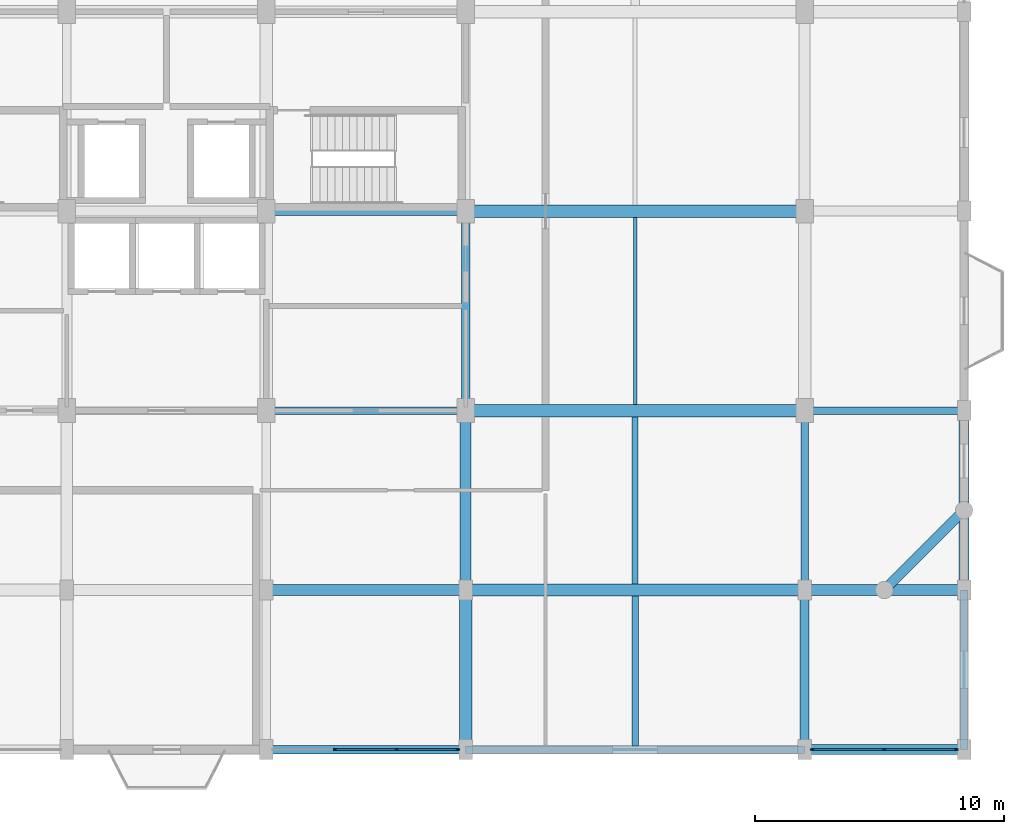
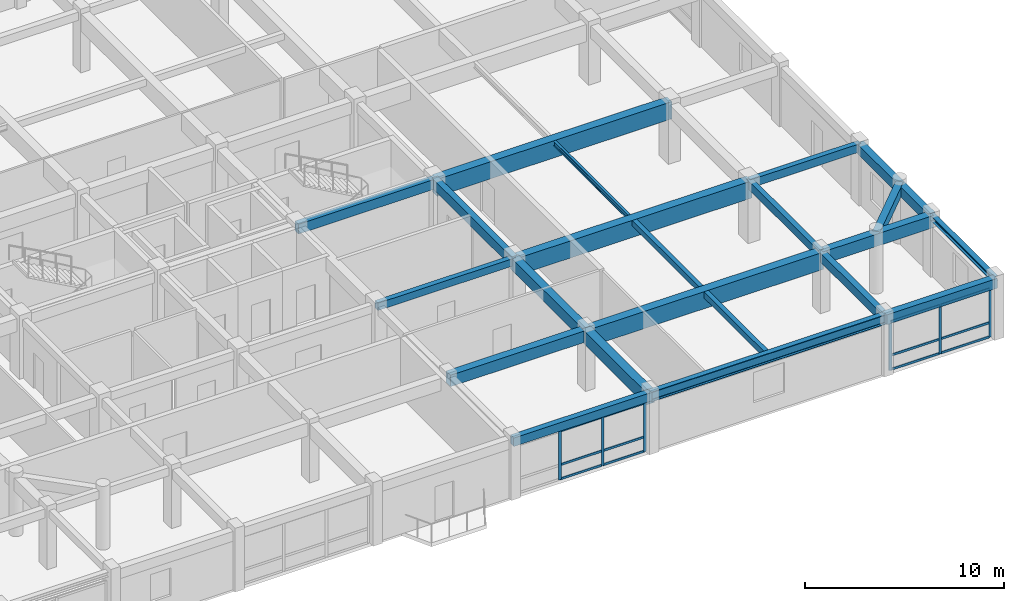
# One storey, part 4 of 15: 22 beams, 18 members, 2 elements without a shape of their own.
"""IFC4 building model written with IfcOpenShell, lengths in metres."""

from ifc_helpers import new_model, si_unit, direction, frame, origin, origin_2d, place, context, subcontext, project, spatial, rectangle, i_section, extrude, material, material_profile, profile_set, type_object, element, aggregate, save


model = new_model("IFC4")

# Units and contexts
model_context = context("Model", 3, precision=1e-05, world=origin(), true_north=direction((0.0, 1.0)))
body_context = subcontext(model_context, "Body", "Model", "MODEL_VIEW")
ifc_project = project(units=[si_unit("LENGTHUNIT", "METRE"), si_unit("AREAUNIT", "SQUARE_METRE"), si_unit("VOLUMEUNIT", "CUBIC_METRE"), si_unit("PLANEANGLEUNIT", "RADIAN"), si_unit("MASSUNIT", "GRAM", prefix="KILO")], contexts=[model_context])

# Site, building, storey
site_placement = place(None, origin())
site = spatial("IfcSite", under=ifc_project, at=site_placement, CompositionType="ELEMENT")
building_placement = place(site_placement, origin())
building = spatial("IfcBuilding", under=site, at=building_placement, Name="Vellmiral Cinema and Media Centre", CompositionType="ELEMENT")
storey_placement = place(building_placement, frame((0.0, 0.0, 35.60009765625)))
storey = spatial("IfcBuildingStorey", under=building, at=storey_placement, Name="L08", CompositionType="ELEMENT", Elevation=35.60009765625)

# Beams
ifc_material_1 = material(Name="Concrete C40/50", Category="concrete")
ifc_material_profile_1 = material_profile(ifc_material_1, rectangle(XDim=0.300048828125, YDim=0.449951171875, at=origin_2d()), Name="RC 300x450")
ifc_profile_set_1 = profile_set([ifc_material_profile_1], Name="Concrete C40/50")
beam_type_1 = type_object("IfcBeamType", Name="BM-RC-300x450", PredefinedType="BEAM", material=ifc_profile_set_1)
beam_1_placement = place(storey_placement, frame((140.0, 79.199951171875, 3.369873046875), z_axis=(1.0, 0.0, 0.0), x_axis=(0.0, 1.0, 0.0)))
element("IfcBeam", 1, at=beam_1_placement, inside=storey, type_object=beam_type_1, Name="Grid Beam L08-X019", PredefinedType="BEAM", context=body_context, shape_type="SweptSolid", body=[
    extrude(rectangle(XDim=0.300048828125, YDim=0.449951171875, at=origin_2d()), origin(), (0.0, 0.0, 1.0), 8.0),
])
ifc_material_2 = material(Name="Concrete C40/50", Category="concrete")
ifc_material_profile_2 = material_profile(ifc_material_2, rectangle(XDim=0.300048828125, YDim=0.5, at=origin_2d()), Name="RC 300x500")
ifc_profile_set_2 = profile_set([ifc_material_profile_2], Name="Concrete C40/50")
beam_type_2 = type_object("IfcBeamType", Name="BM-RC-300x500", PredefinedType="BEAM", material=ifc_profile_set_2)
beam_2_placement = place(storey_placement, frame((161.60009765625, 79.199951171875, 3.344970703125), z_axis=(1.0, 0.0, 0.0), x_axis=(0.0, 1.0, 0.0)))
element("IfcBeam", 2, at=beam_2_placement, inside=storey, type_object=beam_type_2, Name="Grid Beam L08-X021", PredefinedType="BEAM", context=body_context, shape_type="SweptSolid", body=[
    extrude(rectangle(XDim=0.300048828125, YDim=0.5, at=origin_2d()), origin(), (0.0, 0.0, 1.0), 6.39990234375),
])
beam_3_placement = place(storey_placement, frame((161.60009765625, 72.0, 3.344970703125), z_axis=(0.0, 1.0, 0.0), x_axis=(-1.0, 0.0, 0.0)))
element("IfcBeam", 3, at=beam_3_placement, inside=storey, type_object=beam_type_2, Name="Grid Beam L08-Y086", PredefinedType="BEAM", context=body_context, shape_type="SweptSolid", body=[
    extrude(rectangle(XDim=0.300048828125, YDim=0.5, at=origin_2d()), origin(), (0.0, 0.0, 1.0), 7.199951171875),
])
ifc_material_3 = material(Name="Concrete C40/50", Category="concrete")
ifc_material_profile_3 = material_profile(ifc_material_3, rectangle(XDim=0.35009765625, YDim=0.550048828125, at=origin_2d()), Name="RC 350x550")
ifc_profile_set_3 = profile_set([ifc_material_profile_3], Name="Concrete C40/50")
beam_type_3 = type_object("IfcBeamType", Name="BM-RC-350x550", PredefinedType="BEAM", material=ifc_profile_set_3)
beam_4_placement = place(storey_placement, frame((161.60009765625, 65.60009765625, 3.31982421875), z_axis=(0.0, 1.0, 0.0), x_axis=(-1.0, 0.0, 0.0)))
element("IfcBeam", 4, at=beam_4_placement, inside=storey, type_object=beam_type_3, Name="Grid Beam L08-Y085", PredefinedType="BEAM", context=body_context, shape_type="SweptSolid", body=[
    extrude(rectangle(XDim=0.35009765625, YDim=0.550048828125, at=origin_2d()), origin(), (0.0, 0.0, 1.0), 6.39990234375),
])
ifc_material_4 = material(Name="Concrete C40/50", Category="concrete")
ifc_material_profile_4 = material_profile(ifc_material_4, rectangle(XDim=0.35009765625, YDim=0.60009765625, at=origin_2d()), Name="RC 350x600")
ifc_profile_set_4 = profile_set([ifc_material_profile_4], Name="Concrete C40/50")
beam_type_4 = type_object("IfcBeamType", Name="BM-RC-350x600", PredefinedType="BEAM", material=ifc_profile_set_4)
for number, where, z_axis, x_axis, name in (
    (5, (140.0, 87.199951171875, 3.294921875), (1.0, 0.0, 0.0), (0.0, 1.0, 0.0), "Grid Beam L08-X026"),
    (6, (148.0, 79.199951171875, 3.294921875), (0.0, 1.0, 0.0), (-1.0, 0.0, 0.0), "Grid Beam L08-Y081"),
):
    element("IfcBeam", number, at=place(storey_placement, frame(where, z_axis=z_axis, x_axis=x_axis)), inside=storey, type_object=beam_type_4, Name=name, PredefinedType="BEAM", context=body_context, shape_type="SweptSolid", body=[
        extrude(rectangle(XDim=0.35009765625, YDim=0.60009765625, at=origin_2d()), origin(), (0.0, 0.0, 1.0), 8.0),
    ])
ifc_material_5 = material(Name="Concrete C40/50", Category="concrete")
ifc_material_profile_5 = material_profile(ifc_material_5, rectangle(XDim=0.449951171875, YDim=0.699951171875, at=origin_2d()), Name="RC 450x700")
ifc_profile_set_5 = profile_set([ifc_material_profile_5], Name="Concrete C40/50")
beam_type_5 = type_object("IfcBeamType", Name="BM-RC-450x700", PredefinedType="BEAM", material=ifc_profile_set_5)
beam_5_placement = place(storey_placement, frame((140.0, 72.0, 3.244873046875), z_axis=(1.0, 0.0, 0.0), x_axis=(0.0, 1.0, 0.0)))
element("IfcBeam", 7, at=beam_5_placement, inside=storey, type_object=beam_type_5, Name="Grid Beam L08-X012", PredefinedType="BEAM", context=body_context, shape_type="SweptSolid", body=[
    extrude(rectangle(XDim=0.449951171875, YDim=0.699951171875, at=origin_2d()), origin(), (0.0, 0.0, 1.0), 8.0),
])
beam_6_placement = place(storey_placement, frame((148.0, 72.0, 3.244873046875), z_axis=(0.0, 1.0, 0.0), x_axis=(-1.0, 0.0, 0.0)))
element("IfcBeam", 8, at=beam_6_placement, inside=storey, type_object=beam_type_5, Name="Grid Beam L08-Y080", PredefinedType="BEAM", context=body_context, shape_type="SweptSolid", body=[
    extrude(rectangle(XDim=0.449951171875, YDim=0.699951171875, at=origin_2d()), origin(), (0.0, 0.0, 1.0), 7.199951171875),
])
ifc_material_6 = material(Name="Concrete C40/50", Category="concrete")
ifc_material_profile_6 = material_profile(ifc_material_6, rectangle(XDim=0.449951171875, YDim=0.75, at=origin_2d()), Name="RC 450x750")
ifc_profile_set_6 = profile_set([ifc_material_profile_6], Name="Concrete C40/50")
beam_type_6 = type_object("IfcBeamType", Name="BM-RC-450x750", PredefinedType="BEAM", material=ifc_profile_set_6)
beam_7_placement = place(storey_placement, frame((161.60009765625, 72.0, 3.219970703125), z_axis=(1.0, 0.0, 0.0), x_axis=(0.0, 1.0, 0.0)))
element("IfcBeam", 9, at=beam_7_placement, inside=storey, type_object=beam_type_6, Name="Grid Beam L08-X014", PredefinedType="BEAM", context=body_context, shape_type="SweptSolid", body=[
    extrude(rectangle(XDim=0.449951171875, YDim=0.75, at=origin_2d()), origin(), (0.0, 0.0, 1.0), 6.39990234375),
])
ifc_material_7 = material(Name="Concrete C40/50", Category="concrete")
ifc_material_profile_7 = material_profile(ifc_material_7, rectangle(XDim=0.5, YDim=0.800048828125, at=origin_2d()), Name="RC 500x800")
ifc_profile_set_7 = profile_set([ifc_material_profile_7], Name="Concrete C40/50")
beam_type_7 = type_object("IfcBeamType", Name="BM-RC-500x800", PredefinedType="BEAM", material=ifc_profile_set_7)
beam_8_placement = place(storey_placement, frame((148.0, 65.60009765625, 3.19482421875), z_axis=(0.0, 1.0, 0.0), x_axis=(-1.0, 0.0, 0.0)))
element("IfcBeam", 10, at=beam_8_placement, inside=storey, type_object=beam_type_7, Name="Grid Beam L08-Y079", PredefinedType="BEAM", context=body_context, shape_type="SweptSolid", body=[
    extrude(rectangle(XDim=0.5, YDim=0.800048828125, at=origin_2d()), origin(), (0.0, 0.0, 1.0), 6.39990234375),
])
ifc_material_8 = material(Name="Concrete C40/50", Category="concrete")
ifc_material_profile_8 = material_profile(ifc_material_8, rectangle(XDim=0.5, YDim=1.050048828125, at=origin_2d()), Name="RC 500x1050")
ifc_profile_set_8 = profile_set([ifc_material_profile_8], Name="Concrete C40/50")
beam_type_8 = type_object("IfcBeamType", Name="BM-RCG-500x1050", PredefinedType="BEAM", material=ifc_profile_set_8)
for number, where, z_axis, x_axis, name in (
    (11, (148.0, 72.0, 3.06982421875), (1.0, 0.0, 0.0), (0.0, 1.0, 0.0), "Grid Beam L08-X013"),
    (12, (148.0, 79.199951171875, 3.06982421875), (1.0, 0.0, 0.0), (0.0, 1.0, 0.0), "Grid Beam L08-X020"),
    (13, (148.0, 87.199951171875, 3.06982421875), (1.0, 0.0, 0.0), (0.0, 1.0, 0.0), "Grid Beam L08-X027"),
):
    element("IfcBeam", number, at=place(storey_placement, frame(where, z_axis=z_axis, x_axis=x_axis)), inside=storey, type_object=beam_type_8, Name=name, PredefinedType="BEAM", context=body_context, shape_type="SweptSolid", body=[
        extrude(rectangle(XDim=0.5, YDim=1.050048828125, at=origin_2d()), origin(), (0.0, 0.0, 1.0), 13.60009765625),
    ])

# Curtain wall, members
ifc_material_9 = material(Name="Thermally Broken Aluminium and Triple Glazing", Category="aluminium")
curtain_wall_type = type_object("IfcCurtainWallType", Name="CW-TOWER-LOW-S", PredefinedType="USERDEFINED", material=ifc_material_9)
curtain_wall_1_placement = place(storey_placement, origin())
curtain_wall_1 = element("IfcCurtainWall", 14, at=curtain_wall_1_placement, inside=storey, type_object=curtain_wall_type, Name="Curtain Wall L08-B005", ObjectType="UNITISED CURTAIN WALL", PredefinedType="USERDEFINED")
ifc_material_10 = material(Name="Thermally Broken Anodised Aluminium", Category="aluminium")
ifc_material_profile_9 = material_profile(ifc_material_10, rectangle(XDim=0.06494140625, YDim=0.159912109375, at=origin_2d()), Name="MULL 65x160")
ifc_profile_set_9 = profile_set([ifc_material_profile_9], Name="Thermally Broken Anodised Aluminium")
member_type_1 = type_object("IfcMemberType", Name="CWM-65x160", PredefinedType="MULLION", material=ifc_profile_set_9)
member_1_placement = place(storey_placement, frame((142.75830078125, 65.60009765625, 0.0), z_axis=(0.0, 0.0, 1.0), x_axis=(0.0, 1.0, 0.0)))
member_1 = element("IfcMember", 15, at=member_1_placement, type_object=member_type_1, Name="CW-06 mullion 2", PredefinedType="MULLION", context=body_context, shape_type="SweptSolid", body=[
    extrude(rectangle(XDim=0.06494140625, YDim=0.159912109375, at=origin_2d()), origin(), (0.0, 0.0, 1.0), 3.0),
])
member_2_placement = place(storey_placement, frame((145.24169921875, 65.60009765625, 0.0), z_axis=(0.0, 0.0, 1.0), x_axis=(0.0, 1.0, 0.0)))
member_2 = element("IfcMember", 16, at=member_2_placement, type_object=member_type_1, Name="CW-06 mullion 3", PredefinedType="MULLION", context=body_context, shape_type="SweptSolid", body=[
    extrude(rectangle(XDim=0.06494140625, YDim=0.159912109375, at=origin_2d()), origin(), (0.0, 0.0, 1.0), 3.0),
])
member_3_placement = place(storey_placement, frame((147.6923828125, 65.60009765625, 0.0), z_axis=(0.0, 0.0, 1.0), x_axis=(0.0, 1.0, 0.0)))
member_3 = element("IfcMember", 17, at=member_3_placement, type_object=member_type_1, Name="CW-06 mullion 4", PredefinedType="MULLION", context=body_context, shape_type="SweptSolid", body=[
    extrude(rectangle(XDim=0.06494140625, YDim=0.159912109375, at=origin_2d()), origin(), (0.0, 0.0, 1.0), 3.0),
])

curtain_wall_2_placement = place(storey_placement, origin())
curtain_wall_2 = element("IfcCurtainWall", 18, at=curtain_wall_2_placement, inside=storey, type_object=curtain_wall_type, Name="Curtain Wall L08-B007", ObjectType="UNITISED CURTAIN WALL", PredefinedType="USERDEFINED")
member_4_placement = place(storey_placement, frame((161.907470703125, 65.60009765625, 0.0), z_axis=(0.0, 0.0, 1.0), x_axis=(0.0, 1.0, 0.0)))
member_4 = element("IfcMember", 19, at=member_4_placement, type_object=member_type_1, Name="CW-06 mullion 1", PredefinedType="MULLION", context=body_context, shape_type="SweptSolid", body=[
    extrude(rectangle(XDim=0.06494140625, YDim=0.159912109375, at=origin_2d()), origin(), (0.0, 0.0, 1.0), 2.98486328125),
])
member_5_placement = place(storey_placement, frame((164.800048828125, 65.60009765625, 0.0), z_axis=(0.0, 0.0, 1.0), x_axis=(0.0, 1.0, 0.0)))
member_5 = element("IfcMember", 20, at=member_5_placement, type_object=member_type_1, Name="CW-06 mullion 2", PredefinedType="MULLION", context=body_context, shape_type="SweptSolid", body=[
    extrude(rectangle(XDim=0.06494140625, YDim=0.159912109375, at=origin_2d()), origin(), (0.0, 0.0, 1.0), 2.98486328125),
])
member_6_placement = place(storey_placement, frame((167.6923828125, 65.60009765625, 0.0), z_axis=(0.0, 0.0, 1.0), x_axis=(0.0, 1.0, 0.0)))
member_6 = element("IfcMember", 21, at=member_6_placement, type_object=member_type_1, Name="CW-06 mullion 3", PredefinedType="MULLION", context=body_context, shape_type="SweptSolid", body=[
    extrude(rectangle(XDim=0.06494140625, YDim=0.159912109375, at=origin_2d()), origin(), (0.0, 0.0, 1.0), 2.98486328125),
])

# Member
ifc_material_11 = material(Name="Thermally Broken Anodised Aluminium", Category="aluminium")
ifc_material_profile_10 = material_profile(ifc_material_11, rectangle(XDim=0.06494140625, YDim=0.135009765625, at=origin_2d()), Name="MULL 65x135")
ifc_profile_set_10 = profile_set([ifc_material_profile_10], Name="Thermally Broken Anodised Aluminium")
member_type_2 = type_object("IfcMemberType", Name="CWT-65x135", PredefinedType="USERDEFINED", material=ifc_profile_set_10)
member_7_placement = place(storey_placement, frame((142.790771484375, 65.60009765625, 0.032470703125), z_axis=(1.0, 0.0, 0.0), x_axis=(0.0, 1.0, 0.0)))
member_7 = element("IfcMember", 22, at=member_7_placement, type_object=member_type_2, Name="CW-06 transom 2.1", ObjectType="TRANSOM", PredefinedType="USERDEFINED", context=body_context, shape_type="SweptSolid", body=[
    extrude(rectangle(XDim=0.06494140625, YDim=0.135009765625, at=origin_2d()), origin(), (0.0, 0.0, 1.0), 2.41845703125),
])

member_8_placement = place(storey_placement, frame((142.790771484375, 65.60009765625, 0.89990234375), z_axis=(1.0, 0.0, 0.0), x_axis=(0.0, 1.0, 0.0)))
member_8 = element("IfcMember", 23, at=member_8_placement, type_object=member_type_2, Name="CW-06 transom 2.2", ObjectType="TRANSOM", PredefinedType="USERDEFINED", context=body_context, shape_type="SweptSolid", body=[
    extrude(rectangle(XDim=0.06494140625, YDim=0.135009765625, at=origin_2d()), origin(), (0.0, 0.0, 1.0), 2.41845703125),
])

member_9_placement = place(storey_placement, frame((142.790771484375, 65.60009765625, 2.96728515625), z_axis=(1.0, 0.0, 0.0), x_axis=(0.0, 1.0, 0.0)))
member_9 = element("IfcMember", 24, at=member_9_placement, type_object=member_type_2, Name="CW-06 transom 2.3", ObjectType="TRANSOM", PredefinedType="USERDEFINED", context=body_context, shape_type="SweptSolid", body=[
    extrude(rectangle(XDim=0.06494140625, YDim=0.135009765625, at=origin_2d()), origin(), (0.0, 0.0, 1.0), 2.41845703125),
])

member_10_placement = place(storey_placement, frame((145.274169921875, 65.60009765625, 0.032470703125), z_axis=(1.0, 0.0, 0.0), x_axis=(0.0, 1.0, 0.0)))
member_10 = element("IfcMember", 25, at=member_10_placement, type_object=member_type_2, Name="CW-06 transom 3.1", ObjectType="TRANSOM", PredefinedType="USERDEFINED", context=body_context, shape_type="SweptSolid", body=[
    extrude(rectangle(XDim=0.06494140625, YDim=0.135009765625, at=origin_2d()), origin(), (0.0, 0.0, 1.0), 2.3857421875),
])

member_11_placement = place(storey_placement, frame((145.274169921875, 65.60009765625, 0.89990234375), z_axis=(1.0, 0.0, 0.0), x_axis=(0.0, 1.0, 0.0)))
member_11 = element("IfcMember", 26, at=member_11_placement, type_object=member_type_2, Name="CW-06 transom 3.2", ObjectType="TRANSOM", PredefinedType="USERDEFINED", context=body_context, shape_type="SweptSolid", body=[
    extrude(rectangle(XDim=0.06494140625, YDim=0.135009765625, at=origin_2d()), origin(), (0.0, 0.0, 1.0), 2.3857421875),
])

member_12_placement = place(storey_placement, frame((145.274169921875, 65.60009765625, 2.96728515625), z_axis=(1.0, 0.0, 0.0), x_axis=(0.0, 1.0, 0.0)))
member_12 = element("IfcMember", 27, at=member_12_placement, type_object=member_type_2, Name="CW-06 transom 3.3", ObjectType="TRANSOM", PredefinedType="USERDEFINED", context=body_context, shape_type="SweptSolid", body=[
    extrude(rectangle(XDim=0.06494140625, YDim=0.135009765625, at=origin_2d()), origin(), (0.0, 0.0, 1.0), 2.3857421875),
])

aggregate(curtain_wall_1, [member_1, member_2, member_3, member_7, member_8, member_9, member_10, member_11, member_12])

member_13_placement = place(storey_placement, frame((161.93994140625, 65.60009765625, 0.032470703125), z_axis=(1.0, 0.0, 0.0), x_axis=(0.0, 1.0, 0.0)))
member_13 = element("IfcMember", 28, at=member_13_placement, type_object=member_type_2, Name="CW-06 transom 1.1", ObjectType="TRANSOM", PredefinedType="USERDEFINED", context=body_context, shape_type="SweptSolid", body=[
    extrude(rectangle(XDim=0.06494140625, YDim=0.135009765625, at=origin_2d()), origin(), (0.0, 0.0, 1.0), 2.82763671875),
])

member_14_placement = place(storey_placement, frame((161.93994140625, 65.60009765625, 0.89990234375), z_axis=(1.0, 0.0, 0.0), x_axis=(0.0, 1.0, 0.0)))
member_14 = element("IfcMember", 29, at=member_14_placement, type_object=member_type_2, Name="CW-06 transom 1.2", ObjectType="TRANSOM", PredefinedType="USERDEFINED", context=body_context, shape_type="SweptSolid", body=[
    extrude(rectangle(XDim=0.06494140625, YDim=0.135009765625, at=origin_2d()), origin(), (0.0, 0.0, 1.0), 2.82763671875),
])

member_15_placement = place(storey_placement, frame((161.93994140625, 65.60009765625, 2.952392578125), z_axis=(1.0, 0.0, 0.0), x_axis=(0.0, 1.0, 0.0)))
member_15 = element("IfcMember", 30, at=member_15_placement, type_object=member_type_2, Name="CW-06 transom 1.3", ObjectType="TRANSOM", PredefinedType="USERDEFINED", context=body_context, shape_type="SweptSolid", body=[
    extrude(rectangle(XDim=0.06494140625, YDim=0.135009765625, at=origin_2d()), origin(), (0.0, 0.0, 1.0), 2.82763671875),
])

member_16_placement = place(storey_placement, frame((164.83251953125, 65.60009765625, 0.032470703125), z_axis=(1.0, 0.0, 0.0), x_axis=(0.0, 1.0, 0.0)))
member_16 = element("IfcMember", 31, at=member_16_placement, type_object=member_type_2, Name="CW-06 transom 2.1", ObjectType="TRANSOM", PredefinedType="USERDEFINED", context=body_context, shape_type="SweptSolid", body=[
    extrude(rectangle(XDim=0.06494140625, YDim=0.135009765625, at=origin_2d()), origin(), (0.0, 0.0, 1.0), 2.827392578125),
])

member_17_placement = place(storey_placement, frame((164.83251953125, 65.60009765625, 0.89990234375), z_axis=(1.0, 0.0, 0.0), x_axis=(0.0, 1.0, 0.0)))
member_17 = element("IfcMember", 32, at=member_17_placement, type_object=member_type_2, Name="CW-06 transom 2.2", ObjectType="TRANSOM", PredefinedType="USERDEFINED", context=body_context, shape_type="SweptSolid", body=[
    extrude(rectangle(XDim=0.06494140625, YDim=0.135009765625, at=origin_2d()), origin(), (0.0, 0.0, 1.0), 2.827392578125),
])

member_18_placement = place(storey_placement, frame((164.83251953125, 65.60009765625, 2.952392578125), z_axis=(1.0, 0.0, 0.0), x_axis=(0.0, 1.0, 0.0)))
member_18 = element("IfcMember", 33, at=member_18_placement, type_object=member_type_2, Name="CW-06 transom 2.3", ObjectType="TRANSOM", PredefinedType="USERDEFINED", context=body_context, shape_type="SweptSolid", body=[
    extrude(rectangle(XDim=0.06494140625, YDim=0.135009765625, at=origin_2d()), origin(), (0.0, 0.0, 1.0), 2.827392578125),
])

aggregate(curtain_wall_2, [member_4, member_5, member_6, member_13, member_14, member_15, member_16, member_17, member_18])

# Beams
ifc_material_12 = material(Name="Concrete C40/50", Category="concrete")
ifc_material_profile_11 = material_profile(ifc_material_12, rectangle(XDim=0.25, YDim=0.35009765625, at=origin_2d()), Name="RC 250x350")
ifc_profile_set_11 = profile_set([ifc_material_profile_11], Name="Concrete C40/50")
beam_type_9 = type_object("IfcBeamType", Name="JST-RC-250x350", PredefinedType="JOIST", material=ifc_profile_set_11)
beam_9_placement = place(storey_placement, frame((154.800048828125, 72.25, 3.419921875), z_axis=(0.0, 1.0, 0.0), x_axis=(-1.0, 0.0, 0.0)))
element("IfcBeam", 34, at=beam_9_placement, inside=storey, type_object=beam_type_9, Name="Secondary Floor Joist L08-007", PredefinedType="JOIST", context=body_context, shape_type="SweptSolid", body=[
    extrude(rectangle(XDim=0.25, YDim=0.35009765625, at=origin_2d()), origin(), (0.0, 0.0, 1.0), 6.699951171875),
])
ifc_material_13 = material(Name="Concrete C40/50", Category="concrete")
ifc_material_profile_12 = material_profile(ifc_material_13, rectangle(XDim=0.260009765625, YDim=0.3798828125, at=origin_2d()), Name="RC 260x380")
ifc_profile_set_12 = profile_set([ifc_material_profile_12], Name="Concrete C40/50")
beam_type_10 = type_object("IfcBeamType", Name="JST-RC-260x380", PredefinedType="JOIST", material=ifc_profile_set_12)
beam_10_placement = place(storey_placement, frame((154.800048828125, 65.75, 3.40478515625), z_axis=(0.0, 1.0, 0.0), x_axis=(-1.0, 0.0, 0.0)))
element("IfcBeam", 35, at=beam_10_placement, inside=storey, type_object=beam_type_10, Name="Secondary Floor Joist L08-006", PredefinedType="JOIST", context=body_context, shape_type="SweptSolid", body=[
    extrude(rectangle(XDim=0.260009765625, YDim=0.3798828125, at=origin_2d()), origin(), (0.0, 0.0, 1.0), 6.0),
])
ifc_material_14 = material(Name="Steel S355", Category="steel")
ifc_material_profile_13 = material_profile(ifc_material_14, i_section(OverallWidth=0.300048828125, OverallDepth=0.300048828125, WebThickness=0.010986328125, FlangeThickness=0.01904296875, FilletRadius=0.027099609375, at=origin_2d()), Name="HEB 300")
ifc_profile_set_13 = profile_set([ifc_material_profile_13], Name="Steel S355")
beam_type_11 = type_object("IfcBeamType", Name="SBM-HEB300", PredefinedType="SPANDREL", material=ifc_profile_set_13)
beam_11_placement = place(storey_placement, frame((168.0, 65.60009765625, 3.44482421875), z_axis=(0.0, 1.0, 0.0), x_axis=(-1.0, 0.0, 0.0)))
element("IfcBeam", 36, at=beam_11_placement, inside=storey, type_object=beam_type_11, Name="Grid Beam L08-Y091", PredefinedType="SPANDREL", context=body_context, shape_type="SweptSolid", body=[
    extrude(i_section(OverallWidth=0.300048828125, OverallDepth=0.300048828125, WebThickness=0.010986328125, FlangeThickness=0.01904296875, FilletRadius=0.027099609375, at=origin_2d()), origin(), (0.0, 0.0, 1.0), 6.39990234375),
])
ifc_material_15 = material(Name="Steel S355", Category="steel")
ifc_material_profile_14 = material_profile(ifc_material_15, i_section(OverallWidth=0.300048828125, OverallDepth=0.60009765625, WebThickness=0.015380859375, FlangeThickness=0.030029296875, FilletRadius=0.027099609375, at=origin_2d()), Name="HEB 600")
ifc_profile_set_14 = profile_set([ifc_material_profile_14], Name="Steel S355")
beam_type_12 = type_object("IfcBeamType", Name="SBM-HEB600-SPD", PredefinedType="SPANDREL", material=ifc_profile_set_14)
beam_12_placement = place(storey_placement, frame((148.0, 65.60009765625, 3.294921875), z_axis=(1.0, 0.0, 0.0), x_axis=(0.0, 1.0, 0.0)))
element("IfcBeam", 37, at=beam_12_placement, inside=storey, type_object=beam_type_12, Name="Grid Beam L08-X006", PredefinedType="SPANDREL", context=body_context, shape_type="SweptSolid", body=[
    extrude(i_section(OverallWidth=0.300048828125, OverallDepth=0.60009765625, WebThickness=0.015380859375, FlangeThickness=0.030029296875, FilletRadius=0.027099609375, at=origin_2d()), origin(), (0.0, 0.0, 1.0), 13.60009765625),
])
ifc_material_16 = material(Name="Steel S355", Category="steel")
ifc_material_profile_15 = material_profile(ifc_material_16, i_section(OverallWidth=0.14990234375, OverallDepth=0.300048828125, WebThickness=0.007080078125, FlangeThickness=0.0107421875, FilletRadius=0.014892578125, at=origin_2d()), Name="IPE 300")
ifc_profile_set_15 = profile_set([ifc_material_profile_15], Name="Steel S355")
beam_type_13 = type_object("IfcBeamType", Name="SBM-IPE300", PredefinedType="JOIST", material=ifc_profile_set_15)
beam_13_placement = place(storey_placement, frame((154.800048828125, 79.449951171875, 3.44482421875), z_axis=(0.0, 1.0, 0.0), x_axis=(-1.0, 0.0, 0.0)))
element("IfcBeam", 38, at=beam_13_placement, inside=storey, type_object=beam_type_13, Name="Secondary Floor Joist L08-008", PredefinedType="JOIST", context=body_context, shape_type="SweptSolid", body=[
    extrude(i_section(OverallWidth=0.14990234375, OverallDepth=0.300048828125, WebThickness=0.007080078125, FlangeThickness=0.0107421875, FilletRadius=0.014892578125, at=origin_2d()), origin(), (0.0, 0.0, 1.0), 7.5),
])
ifc_material_17 = material(Name="Concrete C40/50", Category="concrete")
ifc_material_profile_16 = material_profile(ifc_material_17, rectangle(XDim=0.39990234375, YDim=0.60009765625, at=origin_2d()), Name="RC 400x600")
ifc_profile_set_16 = profile_set([ifc_material_profile_16], Name="Concrete C40/50")
beam_type_14 = type_object("IfcBeamType", Name="SPD-RC-400x600", PredefinedType="SPANDREL", material=ifc_profile_set_16)
beam_14_placement = place(storey_placement, frame((161.60009765625, 65.60009765625, 3.294921875), z_axis=(1.0, 0.0, 0.0), x_axis=(0.0, 1.0, 0.0)))
element("IfcBeam", 39, at=beam_14_placement, inside=storey, type_object=beam_type_14, Name="Grid Beam L08-X007", PredefinedType="SPANDREL", context=body_context, shape_type="SweptSolid", body=[
    extrude(rectangle(XDim=0.39990234375, YDim=0.60009765625, at=origin_2d()), origin(), (0.0, 0.0, 1.0), 6.39990234375),
])
beam_15_placement = place(storey_placement, frame((168.0, 72.0, 3.294921875), z_axis=(0.0, 1.0, 0.0), x_axis=(-1.0, 0.0, 0.0)))
element("IfcBeam", 40, at=beam_15_placement, inside=storey, type_object=beam_type_14, Name="Grid Beam L08-Y092", PredefinedType="SPANDREL", context=body_context, shape_type="SweptSolid", body=[
    extrude(rectangle(XDim=0.39990234375, YDim=0.60009765625, at=origin_2d()), origin(), (0.0, 0.0, 1.0), 7.199951171875),
])
beam_16_placement = place(storey_placement, frame((164.800048828125, 72.0, 3.294921875), z_axis=(0.707106781187, 0.707106781187, 0.0), x_axis=(-0.707106781187, 0.707106781187, 0.0)))
element("IfcBeam", 41, at=beam_16_placement, inside=storey, type_object=beam_type_14, Name="Xamfra Chamfer Spandrel Beam L08-098", PredefinedType="SPANDREL", context=body_context, shape_type="SweptSolid", body=[
    extrude(rectangle(XDim=0.39990234375, YDim=0.60009765625, at=origin_2d()), origin(), (0.0, 0.0, 1.0), 4.525390625),
])
ifc_material_18 = material(Name="Vosges Red Sandstone Masonry", Category="masonry")
ifc_material_profile_17 = material_profile(ifc_material_18, rectangle(XDim=0.340087890625, YDim=0.52001953125, at=origin_2d()), Name="SAND 340x520")
ifc_profile_set_17 = profile_set([ifc_material_profile_17], Name="Vosges Red Sandstone Masonry")
beam_type_15 = type_object("IfcBeamType", Name="SPD-SAND-340x520", PredefinedType="SPANDREL", material=ifc_profile_set_17)
beam_17_placement = place(storey_placement, frame((140.0, 65.60009765625, 3.3349609375), z_axis=(1.0, 0.0, 0.0), x_axis=(0.0, 1.0, 0.0)))
element("IfcBeam", 42, at=beam_17_placement, inside=storey, type_object=beam_type_15, Name="Grid Beam L08-X005", PredefinedType="SPANDREL", context=body_context, shape_type="SweptSolid", body=[
    extrude(rectangle(XDim=0.340087890625, YDim=0.52001953125, at=origin_2d()), origin(), (0.0, 0.0, 1.0), 8.0),
])

save(model, "model.ifc")
